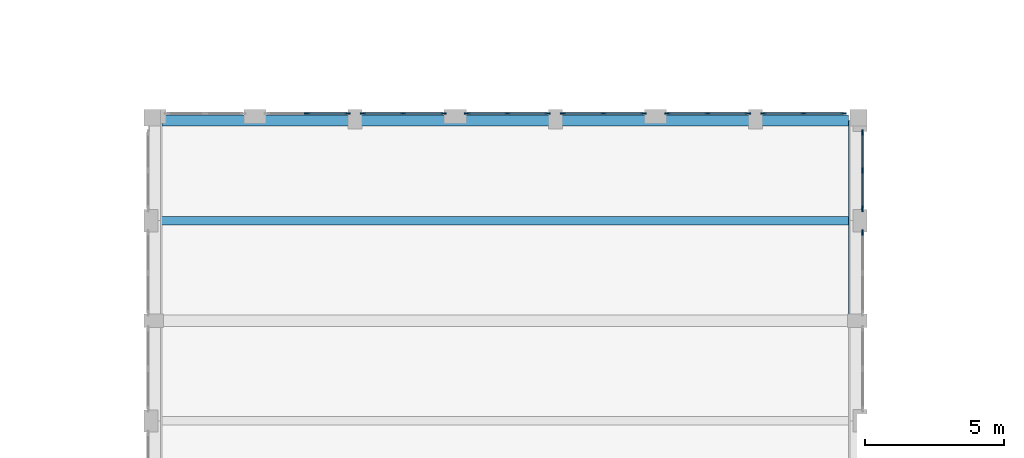
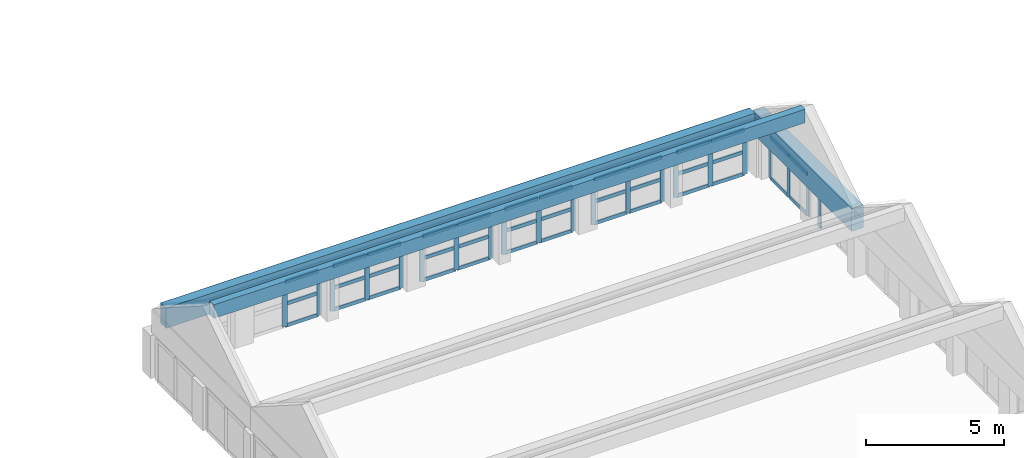
# One storey, part 5 of 38: 58 members, 3 beams, 8 elements without a shape of their own.
"""IFC4 building model written with IfcOpenShell, lengths in metres."""

from ifc_helpers import new_model, si_unit, direction, frame, origin, origin_2d, place, context, subcontext, project, spatial, rectangle, extrude, material, layer, layer_set, material_profile, profile_set, type_object, element, aggregate, save


model = new_model("IFC4")

# Units and contexts
model_context = context("Model", 3, precision=1e-05, world=origin(), true_north=direction((0.0, 1.0)))
body_context = subcontext(model_context, "Body", "Model", "MODEL_VIEW")
ifc_project = project(units=[si_unit("LENGTHUNIT", "METRE"), si_unit("AREAUNIT", "SQUARE_METRE"), si_unit("VOLUMEUNIT", "CUBIC_METRE"), si_unit("PLANEANGLEUNIT", "RADIAN"), si_unit("MASSUNIT", "GRAM", prefix="KILO")], contexts=[model_context])

# Site, building, storey
site_placement = place(None, origin())
site = spatial("IfcSite", under=ifc_project, at=site_placement, CompositionType="ELEMENT")
building_placement = place(site_placement, origin())
building = spatial("IfcBuilding", under=site, at=building_placement, Name="Ussher Court Research Institute", CompositionType="ELEMENT")
storey_placement = place(building_placement, frame((0.0, 0.0, 23.39990234375)))
storey = spatial("IfcBuildingStorey", under=building, at=storey_placement, Name="L05", CompositionType="ELEMENT", Elevation=23.39990234375)

# Curtain wall, members
ifc_material_1 = material(Name="Bronze anodised aluminium with low-e glass", Category="aluminium")
ifc_layer = layer(ifc_material_1, 0.159912109375)
ifc_layer_set = layer_set([ifc_layer], Name="Bronze anodised aluminium with low-e glass")
curtain_wall_type = type_object("IfcCurtainWallType", Name="Curtain wall atrium clerestory tall glazing", PredefinedType="NOTDEFINED", material=ifc_layer_set)
curtain_wall_1_placement = place(storey_placement, origin())
curtain_wall_1 = element("IfcCurtainWall", 1, at=curtain_wall_1_placement, inside=storey, type_object=curtain_wall_type, Name="Curtain wall CW3 L05", PredefinedType="NOTDEFINED")
ifc_material_2 = material(Name="Bronze anodised aluminium", Category="aluminium")
ifc_material_profile_1 = material_profile(ifc_material_2, rectangle(XDim=0.06005859375, YDim=0.199951171875, at=origin_2d()), Name="Mullion 60x200")
ifc_profile_set_1 = profile_set([ifc_material_profile_1], Name="Bronze anodised aluminium")
member_type_1 = type_object("IfcMemberType", Name="Mullion 60x200", PredefinedType="MULLION", material=ifc_profile_set_1)
member_1_placement = place(storey_placement, frame((64.449951171875, 39.570068359375, 0.0), z_axis=(0.0, 0.0, 1.0), x_axis=(1.0, 0.0, 0.0)))
member_1 = element("IfcMember", 2, at=member_1_placement, type_object=member_type_1, Name="CW3 mullion 1", PredefinedType="MULLION", context=body_context, shape_type="SweptSolid", body=[
    extrude(rectangle(XDim=0.06005859375, YDim=0.199951171875, at=origin_2d()), origin(), (0.0, 0.0, 1.0), 1.85009765625),
])
member_2_placement = place(storey_placement, frame((64.449951171875, 38.199951171875, 0.0), z_axis=(0.0, 0.0, 1.0), x_axis=(1.0, 0.0, 0.0)))
member_2 = element("IfcMember", 3, at=member_2_placement, type_object=member_type_1, Name="CW3 mullion 2", PredefinedType="MULLION", context=body_context, shape_type="SweptSolid", body=[
    extrude(rectangle(XDim=0.06005859375, YDim=0.199951171875, at=origin_2d()), origin(), (0.0, 0.0, 1.0), 1.85009765625),
])
member_3_placement = place(storey_placement, frame((64.449951171875, 36.830078125, 0.0), z_axis=(0.0, 0.0, 1.0), x_axis=(1.0, 0.0, 0.0)))
member_3 = element("IfcMember", 4, at=member_3_placement, type_object=member_type_1, Name="CW3 mullion 3", PredefinedType="MULLION", context=body_context, shape_type="SweptSolid", body=[
    extrude(rectangle(XDim=0.06005859375, YDim=0.199951171875, at=origin_2d()), origin(), (0.0, 0.0, 1.0), 1.85009765625),
])

# Curtain wall, member
curtain_wall_2_placement = place(storey_placement, origin())
curtain_wall_2 = element("IfcCurtainWall", 5, at=curtain_wall_2_placement, inside=storey, type_object=curtain_wall_type, Name="Curtain wall CW3 L05", PredefinedType="NOTDEFINED")
member_4_placement = place(storey_placement, frame((64.449951171875, 35.969970703125, 0.0), z_axis=(0.0, 0.0, 1.0), x_axis=(1.0, 0.0, 0.0)))
member_4 = element("IfcMember", 6, at=member_4_placement, type_object=member_type_1, Name="CW3 mullion 1", PredefinedType="MULLION", context=body_context, shape_type="SweptSolid", body=[
    extrude(rectangle(XDim=0.06005859375, YDim=0.199951171875, at=origin_2d()), origin(), (0.0, 0.0, 1.0), 1.85009765625),
])
aggregate(curtain_wall_2, [member_4])

# Curtain wall, members
curtain_wall_3_placement = place(storey_placement, origin())
curtain_wall_3 = element("IfcCurtainWall", 7, at=curtain_wall_3_placement, inside=storey, type_object=curtain_wall_type, Name="Curtain wall CW3 L05", PredefinedType="NOTDEFINED")
member_5_placement = place(storey_placement, frame((44.47509765625, 40.25, 0.0), z_axis=(0.0, 0.0, 1.0), x_axis=(0.0, 1.0, 0.0)))
member_5 = element("IfcMember", 8, at=member_5_placement, type_object=member_type_1, Name="CW3 mullion 2", PredefinedType="MULLION", context=body_context, shape_type="SweptSolid", body=[
    extrude(rectangle(XDim=0.06005859375, YDim=0.199951171875, at=origin_2d()), origin(), (0.0, 0.0, 1.0), 2.0),
])
member_6_placement = place(storey_placement, frame((45.919921875, 40.25, 0.0), z_axis=(0.0, 0.0, 1.0), x_axis=(0.0, 1.0, 0.0)))
member_6 = element("IfcMember", 9, at=member_6_placement, type_object=member_type_1, Name="CW3 mullion 3", PredefinedType="MULLION", context=body_context, shape_type="SweptSolid", body=[
    extrude(rectangle(XDim=0.06005859375, YDim=0.199951171875, at=origin_2d()), origin(), (0.0, 0.0, 1.0), 2.0),
])

curtain_wall_4_placement = place(storey_placement, origin())
curtain_wall_4 = element("IfcCurtainWall", 10, at=curtain_wall_4_placement, inside=storey, type_object=curtain_wall_type, Name="Curtain wall CW3 L05", PredefinedType="NOTDEFINED")
member_7_placement = place(storey_placement, frame((46.47998046875, 40.25, 0.0), z_axis=(0.0, 0.0, 1.0), x_axis=(0.0, 1.0, 0.0)))
member_7 = element("IfcMember", 11, at=member_7_placement, type_object=member_type_1, Name="CW3 mullion 1", PredefinedType="MULLION", context=body_context, shape_type="SweptSolid", body=[
    extrude(rectangle(XDim=0.06005859375, YDim=0.199951171875, at=origin_2d()), origin(), (0.0, 0.0, 1.0), 2.0),
])
member_8_placement = place(storey_placement, frame((47.925048828125, 40.25, 0.0), z_axis=(0.0, 0.0, 1.0), x_axis=(0.0, 1.0, 0.0)))
member_8 = element("IfcMember", 12, at=member_8_placement, type_object=member_type_1, Name="CW3 mullion 2", PredefinedType="MULLION", context=body_context, shape_type="SweptSolid", body=[
    extrude(rectangle(XDim=0.06005859375, YDim=0.199951171875, at=origin_2d()), origin(), (0.0, 0.0, 1.0), 2.0),
])
member_9_placement = place(storey_placement, frame((49.3701171875, 40.25, 0.0), z_axis=(0.0, 0.0, 1.0), x_axis=(0.0, 1.0, 0.0)))
member_9 = element("IfcMember", 13, at=member_9_placement, type_object=member_type_1, Name="CW3 mullion 3", PredefinedType="MULLION", context=body_context, shape_type="SweptSolid", body=[
    extrude(rectangle(XDim=0.06005859375, YDim=0.199951171875, at=origin_2d()), origin(), (0.0, 0.0, 1.0), 2.0),
])

curtain_wall_5_placement = place(storey_placement, origin())
curtain_wall_5 = element("IfcCurtainWall", 14, at=curtain_wall_5_placement, inside=storey, type_object=curtain_wall_type, Name="Curtain wall CW3 L05", PredefinedType="NOTDEFINED")
member_10_placement = place(storey_placement, frame((50.22998046875, 40.25, 0.0), z_axis=(0.0, 0.0, 1.0), x_axis=(0.0, 1.0, 0.0)))
member_10 = element("IfcMember", 15, at=member_10_placement, type_object=member_type_1, Name="CW3 mullion 1", PredefinedType="MULLION", context=body_context, shape_type="SweptSolid", body=[
    extrude(rectangle(XDim=0.06005859375, YDim=0.199951171875, at=origin_2d()), origin(), (0.0, 0.0, 1.0), 2.0),
])
member_11_placement = place(storey_placement, frame((51.675048828125, 40.25, 0.0), z_axis=(0.0, 0.0, 1.0), x_axis=(0.0, 1.0, 0.0)))
member_11 = element("IfcMember", 16, at=member_11_placement, type_object=member_type_1, Name="CW3 mullion 2", PredefinedType="MULLION", context=body_context, shape_type="SweptSolid", body=[
    extrude(rectangle(XDim=0.06005859375, YDim=0.199951171875, at=origin_2d()), origin(), (0.0, 0.0, 1.0), 2.0),
])
member_12_placement = place(storey_placement, frame((53.1201171875, 40.25, 0.0), z_axis=(0.0, 0.0, 1.0), x_axis=(0.0, 1.0, 0.0)))
member_12 = element("IfcMember", 17, at=member_12_placement, type_object=member_type_1, Name="CW3 mullion 3", PredefinedType="MULLION", context=body_context, shape_type="SweptSolid", body=[
    extrude(rectangle(XDim=0.06005859375, YDim=0.199951171875, at=origin_2d()), origin(), (0.0, 0.0, 1.0), 2.0),
])

curtain_wall_6_placement = place(storey_placement, origin())
curtain_wall_6 = element("IfcCurtainWall", 18, at=curtain_wall_6_placement, inside=storey, type_object=curtain_wall_type, Name="Curtain wall CW3 L05", PredefinedType="NOTDEFINED")
member_13_placement = place(storey_placement, frame((53.679931640625, 40.25, 0.0), z_axis=(0.0, 0.0, 1.0), x_axis=(0.0, 1.0, 0.0)))
member_13 = element("IfcMember", 19, at=member_13_placement, type_object=member_type_1, Name="CW3 mullion 1", PredefinedType="MULLION", context=body_context, shape_type="SweptSolid", body=[
    extrude(rectangle(XDim=0.06005859375, YDim=0.199951171875, at=origin_2d()), origin(), (0.0, 0.0, 1.0), 2.0),
])
member_14_placement = place(storey_placement, frame((55.125, 40.25, 0.0), z_axis=(0.0, 0.0, 1.0), x_axis=(0.0, 1.0, 0.0)))
member_14 = element("IfcMember", 20, at=member_14_placement, type_object=member_type_1, Name="CW3 mullion 2", PredefinedType="MULLION", context=body_context, shape_type="SweptSolid", body=[
    extrude(rectangle(XDim=0.06005859375, YDim=0.199951171875, at=origin_2d()), origin(), (0.0, 0.0, 1.0), 2.0),
])
member_15_placement = place(storey_placement, frame((56.570068359375, 40.25, 0.0), z_axis=(0.0, 0.0, 1.0), x_axis=(0.0, 1.0, 0.0)))
member_15 = element("IfcMember", 21, at=member_15_placement, type_object=member_type_1, Name="CW3 mullion 3", PredefinedType="MULLION", context=body_context, shape_type="SweptSolid", body=[
    extrude(rectangle(XDim=0.06005859375, YDim=0.199951171875, at=origin_2d()), origin(), (0.0, 0.0, 1.0), 2.0),
])

curtain_wall_7_placement = place(storey_placement, origin())
curtain_wall_7 = element("IfcCurtainWall", 22, at=curtain_wall_7_placement, inside=storey, type_object=curtain_wall_type, Name="Curtain wall CW3 L05", PredefinedType="NOTDEFINED")
member_16_placement = place(storey_placement, frame((57.429931640625, 40.25, 0.0), z_axis=(0.0, 0.0, 1.0), x_axis=(0.0, 1.0, 0.0)))
member_16 = element("IfcMember", 23, at=member_16_placement, type_object=member_type_1, Name="CW3 mullion 1", PredefinedType="MULLION", context=body_context, shape_type="SweptSolid", body=[
    extrude(rectangle(XDim=0.06005859375, YDim=0.199951171875, at=origin_2d()), origin(), (0.0, 0.0, 1.0), 2.0),
])
member_17_placement = place(storey_placement, frame((58.875, 40.25, 0.0), z_axis=(0.0, 0.0, 1.0), x_axis=(0.0, 1.0, 0.0)))
member_17 = element("IfcMember", 24, at=member_17_placement, type_object=member_type_1, Name="CW3 mullion 2", PredefinedType="MULLION", context=body_context, shape_type="SweptSolid", body=[
    extrude(rectangle(XDim=0.06005859375, YDim=0.199951171875, at=origin_2d()), origin(), (0.0, 0.0, 1.0), 2.0),
])
member_18_placement = place(storey_placement, frame((60.320068359375, 40.25, 0.0), z_axis=(0.0, 0.0, 1.0), x_axis=(0.0, 1.0, 0.0)))
member_18 = element("IfcMember", 25, at=member_18_placement, type_object=member_type_1, Name="CW3 mullion 3", PredefinedType="MULLION", context=body_context, shape_type="SweptSolid", body=[
    extrude(rectangle(XDim=0.06005859375, YDim=0.199951171875, at=origin_2d()), origin(), (0.0, 0.0, 1.0), 2.0),
])

curtain_wall_8_placement = place(storey_placement, origin())
curtain_wall_8 = element("IfcCurtainWall", 26, at=curtain_wall_8_placement, inside=storey, type_object=curtain_wall_type, Name="Curtain wall CW3 L05", PredefinedType="NOTDEFINED")
member_19_placement = place(storey_placement, frame((60.8798828125, 40.25, 0.0), z_axis=(0.0, 0.0, 1.0), x_axis=(0.0, 1.0, 0.0)))
member_19 = element("IfcMember", 27, at=member_19_placement, type_object=member_type_1, Name="CW3 mullion 1", PredefinedType="MULLION", context=body_context, shape_type="SweptSolid", body=[
    extrude(rectangle(XDim=0.06005859375, YDim=0.199951171875, at=origin_2d()), origin(), (0.0, 0.0, 1.0), 2.0),
])
member_20_placement = place(storey_placement, frame((62.324951171875, 40.25, 0.0), z_axis=(0.0, 0.0, 1.0), x_axis=(0.0, 1.0, 0.0)))
member_20 = element("IfcMember", 28, at=member_20_placement, type_object=member_type_1, Name="CW3 mullion 2", PredefinedType="MULLION", context=body_context, shape_type="SweptSolid", body=[
    extrude(rectangle(XDim=0.06005859375, YDim=0.199951171875, at=origin_2d()), origin(), (0.0, 0.0, 1.0), 2.0),
])
member_21_placement = place(storey_placement, frame((63.77001953125, 40.25, 0.0), z_axis=(0.0, 0.0, 1.0), x_axis=(0.0, 1.0, 0.0)))
member_21 = element("IfcMember", 29, at=member_21_placement, type_object=member_type_1, Name="CW3 mullion 3", PredefinedType="MULLION", context=body_context, shape_type="SweptSolid", body=[
    extrude(rectangle(XDim=0.06005859375, YDim=0.199951171875, at=origin_2d()), origin(), (0.0, 0.0, 1.0), 2.0),
])

# Beams
ifc_material_3 = material(Name="Concrete C35/45", Category="concrete")
ifc_material_profile_2 = material_profile(ifc_material_3, rectangle(XDim=0.300048828125, YDim=0.60009765625, at=origin_2d()), Name="RC 300x600")
ifc_profile_set_2 = profile_set([ifc_material_profile_2], Name="Concrete C35/45")
beam_type_1 = type_object("IfcBeamType", Name="RC 300x600 beam", PredefinedType="BEAM", material=ifc_profile_set_2)
beam_1_placement = place(storey_placement, frame((39.199951171875, 36.39990234375, 4.919677734375), z_axis=(1.0, 0.0, 0.0), x_axis=(0.0, 1.0, 0.0)))
element("IfcBeam", 30, at=beam_1_placement, inside=storey, type_object=beam_type_1, Name="B3 V2 L05-04", PredefinedType="BEAM", context=body_context, shape_type="SweptSolid", body=[
    extrude(rectangle(XDim=0.300048828125, YDim=0.60009765625, at=origin_2d()), origin(), (0.0, 0.0, 1.0), 24.800048828125),
])
ifc_material_4 = material(Name="Concrete C35/45", Category="concrete")
ifc_material_profile_3 = material_profile(ifc_material_4, rectangle(XDim=0.39990234375, YDim=0.89990234375, at=origin_2d()), Name="RC 400x900")
ifc_profile_set_3 = profile_set([ifc_material_profile_3], Name="Concrete C35/45")
beam_type_2 = type_object("IfcBeamType", Name="RC 400x900 beam", PredefinedType="BEAM", material=ifc_profile_set_3)
beam_2_placement = place(storey_placement, frame((39.25, 40.0, 2.455322265625), z_axis=(1.0, 0.0, 0.0), x_axis=(0.0, 1.0, 0.0)))
element("IfcBeam", 31, at=beam_2_placement, inside=storey, type_object=beam_type_2, Name="B8 V2 L05-05", PredefinedType="BEAM", context=body_context, shape_type="SweptSolid", body=[
    extrude(rectangle(XDim=0.39990234375, YDim=0.89990234375, at=origin_2d()), origin(), (0.0, 0.0, 1.0), 24.699951171875),
])
ifc_material_5 = material(Name="Concrete C35/45", Category="concrete")
ifc_material_profile_4 = material_profile(ifc_material_5, rectangle(XDim=0.5, YDim=1.0, at=origin_2d()), Name="RC 500x1000")
ifc_profile_set_4 = profile_set([ifc_material_profile_4], Name="Concrete C35/45")
beam_type_3 = type_object("IfcBeamType", Name="RC 500x1000 beam", PredefinedType="BEAM", material=ifc_profile_set_4)
beam_3_placement = place(storey_placement, frame((64.199951171875, 32.800048828125, 2.4052734375), z_axis=(0.0, 1.0, 0.0), x_axis=(-1.0, 0.0, 0.0)))
element("IfcBeam", 32, at=beam_3_placement, inside=storey, type_object=beam_type_3, Name="B12 V2 L05-08", PredefinedType="BEAM", context=body_context, shape_type="SweptSolid", body=[
    extrude(rectangle(XDim=0.5, YDim=1.0, at=origin_2d()), origin(), (0.0, 0.0, 1.0), 7.199951171875),
])

# Member
ifc_material_6 = material(Name="Bronze anodised aluminium", Category="aluminium")
ifc_material_profile_5 = material_profile(ifc_material_6, rectangle(XDim=0.06005859375, YDim=0.159912109375, at=origin_2d()), Name="Transom 60x160")
ifc_profile_set_5 = profile_set([ifc_material_profile_5], Name="Bronze anodised aluminium")
member_type_2 = type_object("IfcMemberType", Name="Transom 60x160", PredefinedType="USERDEFINED", material=ifc_profile_set_5)
member_22_placement = place(storey_placement, frame((64.449951171875, 39.5400390625, 0.030029296875), z_axis=(0.0, -1.0, 0.0), x_axis=(1.0, 0.0, 0.0)))
member_22 = element("IfcMember", 33, at=member_22_placement, type_object=member_type_2, Name="CW3 transom 1.1", ObjectType="TRANSOM", PredefinedType="USERDEFINED", context=body_context, shape_type="SweptSolid", body=[
    extrude(rectangle(XDim=0.06005859375, YDim=0.159912109375, at=origin_2d()), origin(), (0.0, 0.0, 1.0), 1.31005859375),
])

member_23_placement = place(storey_placement, frame((64.449951171875, 39.5400390625, 1.820068359375), z_axis=(0.0, -1.0, 0.0), x_axis=(1.0, 0.0, 0.0)))
member_23 = element("IfcMember", 34, at=member_23_placement, type_object=member_type_2, Name="CW3 transom 1.2", ObjectType="TRANSOM", PredefinedType="USERDEFINED", context=body_context, shape_type="SweptSolid", body=[
    extrude(rectangle(XDim=0.06005859375, YDim=0.159912109375, at=origin_2d()), origin(), (0.0, 0.0, 1.0), 1.31005859375),
])

member_24_placement = place(storey_placement, frame((64.449951171875, 38.169921875, 0.030029296875), z_axis=(0.0, -1.0, 0.0), x_axis=(1.0, 0.0, 0.0)))
member_24 = element("IfcMember", 35, at=member_24_placement, type_object=member_type_2, Name="CW3 transom 2.1", ObjectType="TRANSOM", PredefinedType="USERDEFINED", context=body_context, shape_type="SweptSolid", body=[
    extrude(rectangle(XDim=0.06005859375, YDim=0.159912109375, at=origin_2d()), origin(), (0.0, 0.0, 1.0), 1.309814453125),
])

member_25_placement = place(storey_placement, frame((64.449951171875, 38.169921875, 1.820068359375), z_axis=(0.0, -1.0, 0.0), x_axis=(1.0, 0.0, 0.0)))
member_25 = element("IfcMember", 36, at=member_25_placement, type_object=member_type_2, Name="CW3 transom 2.2", ObjectType="TRANSOM", PredefinedType="USERDEFINED", context=body_context, shape_type="SweptSolid", body=[
    extrude(rectangle(XDim=0.06005859375, YDim=0.159912109375, at=origin_2d()), origin(), (0.0, 0.0, 1.0), 1.309814453125),
])

aggregate(curtain_wall_1, [member_1, member_2, member_3, member_22, member_23, member_24, member_25])

member_26_placement = place(storey_placement, frame((44.5048828125, 40.25, 0.030029296875), z_axis=(1.0, 0.0, 0.0), x_axis=(0.0, 1.0, 0.0)))
member_26 = element("IfcMember", 37, at=member_26_placement, type_object=member_type_2, Name="CW3 transom 2.1", ObjectType="TRANSOM", PredefinedType="USERDEFINED", context=body_context, shape_type="SweptSolid", body=[
    extrude(rectangle(XDim=0.06005859375, YDim=0.159912109375, at=origin_2d()), origin(), (0.0, 0.0, 1.0), 1.385009765625),
])

member_27_placement = place(storey_placement, frame((44.5048828125, 40.25, 1.0), z_axis=(1.0, 0.0, 0.0), x_axis=(0.0, 1.0, 0.0)))
member_27 = element("IfcMember", 38, at=member_27_placement, type_object=member_type_2, Name="CW3 transom 2.2", ObjectType="TRANSOM", PredefinedType="USERDEFINED", context=body_context, shape_type="SweptSolid", body=[
    extrude(rectangle(XDim=0.06005859375, YDim=0.159912109375, at=origin_2d()), origin(), (0.0, 0.0, 1.0), 1.385009765625),
])

member_28_placement = place(storey_placement, frame((44.5048828125, 40.25, 1.97021484375), z_axis=(1.0, 0.0, 0.0), x_axis=(0.0, 1.0, 0.0)))
member_28 = element("IfcMember", 39, at=member_28_placement, type_object=member_type_2, Name="CW3 transom 2.3", ObjectType="TRANSOM", PredefinedType="USERDEFINED", context=body_context, shape_type="SweptSolid", body=[
    extrude(rectangle(XDim=0.06005859375, YDim=0.159912109375, at=origin_2d()), origin(), (0.0, 0.0, 1.0), 1.385009765625),
])

aggregate(curtain_wall_3, [member_5, member_6, member_26, member_27, member_28])

member_29_placement = place(storey_placement, frame((46.510009765625, 40.25, 0.030029296875), z_axis=(1.0, 0.0, 0.0), x_axis=(0.0, 1.0, 0.0)))
member_29 = element("IfcMember", 40, at=member_29_placement, type_object=member_type_2, Name="CW3 transom 1.1", ObjectType="TRANSOM", PredefinedType="USERDEFINED", context=body_context, shape_type="SweptSolid", body=[
    extrude(rectangle(XDim=0.06005859375, YDim=0.159912109375, at=origin_2d()), origin(), (0.0, 0.0, 1.0), 1.385009765625),
])

member_30_placement = place(storey_placement, frame((46.510009765625, 40.25, 1.0), z_axis=(1.0, 0.0, 0.0), x_axis=(0.0, 1.0, 0.0)))
member_30 = element("IfcMember", 41, at=member_30_placement, type_object=member_type_2, Name="CW3 transom 1.2", ObjectType="TRANSOM", PredefinedType="USERDEFINED", context=body_context, shape_type="SweptSolid", body=[
    extrude(rectangle(XDim=0.06005859375, YDim=0.159912109375, at=origin_2d()), origin(), (0.0, 0.0, 1.0), 1.385009765625),
])

member_31_placement = place(storey_placement, frame((46.510009765625, 40.25, 1.97021484375), z_axis=(1.0, 0.0, 0.0), x_axis=(0.0, 1.0, 0.0)))
member_31 = element("IfcMember", 42, at=member_31_placement, type_object=member_type_2, Name="CW3 transom 1.3", ObjectType="TRANSOM", PredefinedType="USERDEFINED", context=body_context, shape_type="SweptSolid", body=[
    extrude(rectangle(XDim=0.06005859375, YDim=0.159912109375, at=origin_2d()), origin(), (0.0, 0.0, 1.0), 1.385009765625),
])

member_32_placement = place(storey_placement, frame((47.955078125, 40.25, 0.030029296875), z_axis=(1.0, 0.0, 0.0), x_axis=(0.0, 1.0, 0.0)))
member_32 = element("IfcMember", 43, at=member_32_placement, type_object=member_type_2, Name="CW3 transom 2.1", ObjectType="TRANSOM", PredefinedType="USERDEFINED", context=body_context, shape_type="SweptSolid", body=[
    extrude(rectangle(XDim=0.06005859375, YDim=0.159912109375, at=origin_2d()), origin(), (0.0, 0.0, 1.0), 1.385009765625),
])

member_33_placement = place(storey_placement, frame((47.955078125, 40.25, 1.0), z_axis=(1.0, 0.0, 0.0), x_axis=(0.0, 1.0, 0.0)))
member_33 = element("IfcMember", 44, at=member_33_placement, type_object=member_type_2, Name="CW3 transom 2.2", ObjectType="TRANSOM", PredefinedType="USERDEFINED", context=body_context, shape_type="SweptSolid", body=[
    extrude(rectangle(XDim=0.06005859375, YDim=0.159912109375, at=origin_2d()), origin(), (0.0, 0.0, 1.0), 1.385009765625),
])

member_34_placement = place(storey_placement, frame((47.955078125, 40.25, 1.97021484375), z_axis=(1.0, 0.0, 0.0), x_axis=(0.0, 1.0, 0.0)))
member_34 = element("IfcMember", 45, at=member_34_placement, type_object=member_type_2, Name="CW3 transom 2.3", ObjectType="TRANSOM", PredefinedType="USERDEFINED", context=body_context, shape_type="SweptSolid", body=[
    extrude(rectangle(XDim=0.06005859375, YDim=0.159912109375, at=origin_2d()), origin(), (0.0, 0.0, 1.0), 1.385009765625),
])

aggregate(curtain_wall_4, [member_7, member_8, member_9, member_29, member_30, member_31, member_32, member_33, member_34])

member_35_placement = place(storey_placement, frame((50.260009765625, 40.25, 0.030029296875), z_axis=(1.0, 0.0, 0.0), x_axis=(0.0, 1.0, 0.0)))
member_35 = element("IfcMember", 46, at=member_35_placement, type_object=member_type_2, Name="CW3 transom 1.1", ObjectType="TRANSOM", PredefinedType="USERDEFINED", context=body_context, shape_type="SweptSolid", body=[
    extrude(rectangle(XDim=0.06005859375, YDim=0.159912109375, at=origin_2d()), origin(), (0.0, 0.0, 1.0), 1.385009765625),
])

member_36_placement = place(storey_placement, frame((50.260009765625, 40.25, 1.0), z_axis=(1.0, 0.0, 0.0), x_axis=(0.0, 1.0, 0.0)))
member_36 = element("IfcMember", 47, at=member_36_placement, type_object=member_type_2, Name="CW3 transom 1.2", ObjectType="TRANSOM", PredefinedType="USERDEFINED", context=body_context, shape_type="SweptSolid", body=[
    extrude(rectangle(XDim=0.06005859375, YDim=0.159912109375, at=origin_2d()), origin(), (0.0, 0.0, 1.0), 1.385009765625),
])

member_37_placement = place(storey_placement, frame((50.260009765625, 40.25, 1.97021484375), z_axis=(1.0, 0.0, 0.0), x_axis=(0.0, 1.0, 0.0)))
member_37 = element("IfcMember", 48, at=member_37_placement, type_object=member_type_2, Name="CW3 transom 1.3", ObjectType="TRANSOM", PredefinedType="USERDEFINED", context=body_context, shape_type="SweptSolid", body=[
    extrude(rectangle(XDim=0.06005859375, YDim=0.159912109375, at=origin_2d()), origin(), (0.0, 0.0, 1.0), 1.385009765625),
])

member_38_placement = place(storey_placement, frame((51.705078125, 40.25, 0.030029296875), z_axis=(1.0, 0.0, 0.0), x_axis=(0.0, 1.0, 0.0)))
member_38 = element("IfcMember", 49, at=member_38_placement, type_object=member_type_2, Name="CW3 transom 2.1", ObjectType="TRANSOM", PredefinedType="USERDEFINED", context=body_context, shape_type="SweptSolid", body=[
    extrude(rectangle(XDim=0.06005859375, YDim=0.159912109375, at=origin_2d()), origin(), (0.0, 0.0, 1.0), 1.385009765625),
])

member_39_placement = place(storey_placement, frame((51.705078125, 40.25, 1.0), z_axis=(1.0, 0.0, 0.0), x_axis=(0.0, 1.0, 0.0)))
member_39 = element("IfcMember", 50, at=member_39_placement, type_object=member_type_2, Name="CW3 transom 2.2", ObjectType="TRANSOM", PredefinedType="USERDEFINED", context=body_context, shape_type="SweptSolid", body=[
    extrude(rectangle(XDim=0.06005859375, YDim=0.159912109375, at=origin_2d()), origin(), (0.0, 0.0, 1.0), 1.385009765625),
])

member_40_placement = place(storey_placement, frame((51.705078125, 40.25, 1.97021484375), z_axis=(1.0, 0.0, 0.0), x_axis=(0.0, 1.0, 0.0)))
member_40 = element("IfcMember", 51, at=member_40_placement, type_object=member_type_2, Name="CW3 transom 2.3", ObjectType="TRANSOM", PredefinedType="USERDEFINED", context=body_context, shape_type="SweptSolid", body=[
    extrude(rectangle(XDim=0.06005859375, YDim=0.159912109375, at=origin_2d()), origin(), (0.0, 0.0, 1.0), 1.385009765625),
])

aggregate(curtain_wall_5, [member_10, member_11, member_12, member_35, member_36, member_37, member_38, member_39, member_40])

member_41_placement = place(storey_placement, frame((53.7099609375, 40.25, 0.030029296875), z_axis=(1.0, 0.0, 0.0), x_axis=(0.0, 1.0, 0.0)))
member_41 = element("IfcMember", 52, at=member_41_placement, type_object=member_type_2, Name="CW3 transom 1.1", ObjectType="TRANSOM", PredefinedType="USERDEFINED", context=body_context, shape_type="SweptSolid", body=[
    extrude(rectangle(XDim=0.06005859375, YDim=0.159912109375, at=origin_2d()), origin(), (0.0, 0.0, 1.0), 1.385009765625),
])

member_42_placement = place(storey_placement, frame((53.7099609375, 40.25, 1.0), z_axis=(1.0, 0.0, 0.0), x_axis=(0.0, 1.0, 0.0)))
member_42 = element("IfcMember", 53, at=member_42_placement, type_object=member_type_2, Name="CW3 transom 1.2", ObjectType="TRANSOM", PredefinedType="USERDEFINED", context=body_context, shape_type="SweptSolid", body=[
    extrude(rectangle(XDim=0.06005859375, YDim=0.159912109375, at=origin_2d()), origin(), (0.0, 0.0, 1.0), 1.385009765625),
])

member_43_placement = place(storey_placement, frame((53.7099609375, 40.25, 1.97021484375), z_axis=(1.0, 0.0, 0.0), x_axis=(0.0, 1.0, 0.0)))
member_43 = element("IfcMember", 54, at=member_43_placement, type_object=member_type_2, Name="CW3 transom 1.3", ObjectType="TRANSOM", PredefinedType="USERDEFINED", context=body_context, shape_type="SweptSolid", body=[
    extrude(rectangle(XDim=0.06005859375, YDim=0.159912109375, at=origin_2d()), origin(), (0.0, 0.0, 1.0), 1.385009765625),
])

member_44_placement = place(storey_placement, frame((55.155029296875, 40.25, 0.030029296875), z_axis=(1.0, 0.0, 0.0), x_axis=(0.0, 1.0, 0.0)))
member_44 = element("IfcMember", 55, at=member_44_placement, type_object=member_type_2, Name="CW3 transom 2.1", ObjectType="TRANSOM", PredefinedType="USERDEFINED", context=body_context, shape_type="SweptSolid", body=[
    extrude(rectangle(XDim=0.06005859375, YDim=0.159912109375, at=origin_2d()), origin(), (0.0, 0.0, 1.0), 1.385009765625),
])

member_45_placement = place(storey_placement, frame((55.155029296875, 40.25, 1.0), z_axis=(1.0, 0.0, 0.0), x_axis=(0.0, 1.0, 0.0)))
member_45 = element("IfcMember", 56, at=member_45_placement, type_object=member_type_2, Name="CW3 transom 2.2", ObjectType="TRANSOM", PredefinedType="USERDEFINED", context=body_context, shape_type="SweptSolid", body=[
    extrude(rectangle(XDim=0.06005859375, YDim=0.159912109375, at=origin_2d()), origin(), (0.0, 0.0, 1.0), 1.385009765625),
])

member_46_placement = place(storey_placement, frame((55.155029296875, 40.25, 1.97021484375), z_axis=(1.0, 0.0, 0.0), x_axis=(0.0, 1.0, 0.0)))
member_46 = element("IfcMember", 57, at=member_46_placement, type_object=member_type_2, Name="CW3 transom 2.3", ObjectType="TRANSOM", PredefinedType="USERDEFINED", context=body_context, shape_type="SweptSolid", body=[
    extrude(rectangle(XDim=0.06005859375, YDim=0.159912109375, at=origin_2d()), origin(), (0.0, 0.0, 1.0), 1.385009765625),
])

aggregate(curtain_wall_6, [member_13, member_14, member_15, member_41, member_42, member_43, member_44, member_45, member_46])

member_47_placement = place(storey_placement, frame((57.4599609375, 40.25, 0.030029296875), z_axis=(1.0, 0.0, 0.0), x_axis=(0.0, 1.0, 0.0)))
member_47 = element("IfcMember", 58, at=member_47_placement, type_object=member_type_2, Name="CW3 transom 1.1", ObjectType="TRANSOM", PredefinedType="USERDEFINED", context=body_context, shape_type="SweptSolid", body=[
    extrude(rectangle(XDim=0.06005859375, YDim=0.159912109375, at=origin_2d()), origin(), (0.0, 0.0, 1.0), 1.385009765625),
])

member_48_placement = place(storey_placement, frame((57.4599609375, 40.25, 1.0), z_axis=(1.0, 0.0, 0.0), x_axis=(0.0, 1.0, 0.0)))
member_48 = element("IfcMember", 59, at=member_48_placement, type_object=member_type_2, Name="CW3 transom 1.2", ObjectType="TRANSOM", PredefinedType="USERDEFINED", context=body_context, shape_type="SweptSolid", body=[
    extrude(rectangle(XDim=0.06005859375, YDim=0.159912109375, at=origin_2d()), origin(), (0.0, 0.0, 1.0), 1.385009765625),
])

member_49_placement = place(storey_placement, frame((57.4599609375, 40.25, 1.97021484375), z_axis=(1.0, 0.0, 0.0), x_axis=(0.0, 1.0, 0.0)))
member_49 = element("IfcMember", 60, at=member_49_placement, type_object=member_type_2, Name="CW3 transom 1.3", ObjectType="TRANSOM", PredefinedType="USERDEFINED", context=body_context, shape_type="SweptSolid", body=[
    extrude(rectangle(XDim=0.06005859375, YDim=0.159912109375, at=origin_2d()), origin(), (0.0, 0.0, 1.0), 1.385009765625),
])

member_50_placement = place(storey_placement, frame((58.905029296875, 40.25, 0.030029296875), z_axis=(1.0, 0.0, 0.0), x_axis=(0.0, 1.0, 0.0)))
member_50 = element("IfcMember", 61, at=member_50_placement, type_object=member_type_2, Name="CW3 transom 2.1", ObjectType="TRANSOM", PredefinedType="USERDEFINED", context=body_context, shape_type="SweptSolid", body=[
    extrude(rectangle(XDim=0.06005859375, YDim=0.159912109375, at=origin_2d()), origin(), (0.0, 0.0, 1.0), 1.385009765625),
])

member_51_placement = place(storey_placement, frame((58.905029296875, 40.25, 1.0), z_axis=(1.0, 0.0, 0.0), x_axis=(0.0, 1.0, 0.0)))
member_51 = element("IfcMember", 62, at=member_51_placement, type_object=member_type_2, Name="CW3 transom 2.2", ObjectType="TRANSOM", PredefinedType="USERDEFINED", context=body_context, shape_type="SweptSolid", body=[
    extrude(rectangle(XDim=0.06005859375, YDim=0.159912109375, at=origin_2d()), origin(), (0.0, 0.0, 1.0), 1.385009765625),
])

member_52_placement = place(storey_placement, frame((58.905029296875, 40.25, 1.97021484375), z_axis=(1.0, 0.0, 0.0), x_axis=(0.0, 1.0, 0.0)))
member_52 = element("IfcMember", 63, at=member_52_placement, type_object=member_type_2, Name="CW3 transom 2.3", ObjectType="TRANSOM", PredefinedType="USERDEFINED", context=body_context, shape_type="SweptSolid", body=[
    extrude(rectangle(XDim=0.06005859375, YDim=0.159912109375, at=origin_2d()), origin(), (0.0, 0.0, 1.0), 1.385009765625),
])

aggregate(curtain_wall_7, [member_16, member_17, member_18, member_47, member_48, member_49, member_50, member_51, member_52])

member_53_placement = place(storey_placement, frame((60.909912109375, 40.25, 0.030029296875), z_axis=(1.0, 0.0, 0.0), x_axis=(0.0, 1.0, 0.0)))
member_53 = element("IfcMember", 64, at=member_53_placement, type_object=member_type_2, Name="CW3 transom 1.1", ObjectType="TRANSOM", PredefinedType="USERDEFINED", context=body_context, shape_type="SweptSolid", body=[
    extrude(rectangle(XDim=0.06005859375, YDim=0.159912109375, at=origin_2d()), origin(), (0.0, 0.0, 1.0), 1.385009765625),
])

member_54_placement = place(storey_placement, frame((60.909912109375, 40.25, 1.0), z_axis=(1.0, 0.0, 0.0), x_axis=(0.0, 1.0, 0.0)))
member_54 = element("IfcMember", 65, at=member_54_placement, type_object=member_type_2, Name="CW3 transom 1.2", ObjectType="TRANSOM", PredefinedType="USERDEFINED", context=body_context, shape_type="SweptSolid", body=[
    extrude(rectangle(XDim=0.06005859375, YDim=0.159912109375, at=origin_2d()), origin(), (0.0, 0.0, 1.0), 1.385009765625),
])

member_55_placement = place(storey_placement, frame((60.909912109375, 40.25, 1.97021484375), z_axis=(1.0, 0.0, 0.0), x_axis=(0.0, 1.0, 0.0)))
member_55 = element("IfcMember", 66, at=member_55_placement, type_object=member_type_2, Name="CW3 transom 1.3", ObjectType="TRANSOM", PredefinedType="USERDEFINED", context=body_context, shape_type="SweptSolid", body=[
    extrude(rectangle(XDim=0.06005859375, YDim=0.159912109375, at=origin_2d()), origin(), (0.0, 0.0, 1.0), 1.385009765625),
])

member_56_placement = place(storey_placement, frame((62.35498046875, 40.25, 0.030029296875), z_axis=(1.0, 0.0, 0.0), x_axis=(0.0, 1.0, 0.0)))
member_56 = element("IfcMember", 67, at=member_56_placement, type_object=member_type_2, Name="CW3 transom 2.1", ObjectType="TRANSOM", PredefinedType="USERDEFINED", context=body_context, shape_type="SweptSolid", body=[
    extrude(rectangle(XDim=0.06005859375, YDim=0.159912109375, at=origin_2d()), origin(), (0.0, 0.0, 1.0), 1.385009765625),
])

member_57_placement = place(storey_placement, frame((62.35498046875, 40.25, 1.0), z_axis=(1.0, 0.0, 0.0), x_axis=(0.0, 1.0, 0.0)))
member_57 = element("IfcMember", 68, at=member_57_placement, type_object=member_type_2, Name="CW3 transom 2.2", ObjectType="TRANSOM", PredefinedType="USERDEFINED", context=body_context, shape_type="SweptSolid", body=[
    extrude(rectangle(XDim=0.06005859375, YDim=0.159912109375, at=origin_2d()), origin(), (0.0, 0.0, 1.0), 1.385009765625),
])

member_58_placement = place(storey_placement, frame((62.35498046875, 40.25, 1.97021484375), z_axis=(1.0, 0.0, 0.0), x_axis=(0.0, 1.0, 0.0)))
member_58 = element("IfcMember", 69, at=member_58_placement, type_object=member_type_2, Name="CW3 transom 2.3", ObjectType="TRANSOM", PredefinedType="USERDEFINED", context=body_context, shape_type="SweptSolid", body=[
    extrude(rectangle(XDim=0.06005859375, YDim=0.159912109375, at=origin_2d()), origin(), (0.0, 0.0, 1.0), 1.385009765625),
])

aggregate(curtain_wall_8, [member_19, member_20, member_21, member_53, member_54, member_55, member_56, member_57, member_58])

save(model, "model.ifc")
